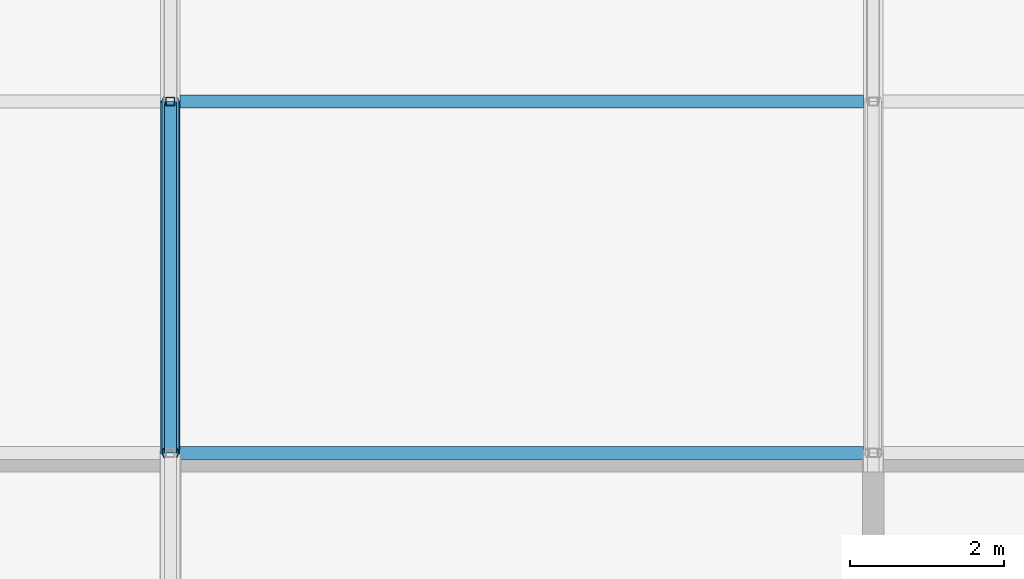
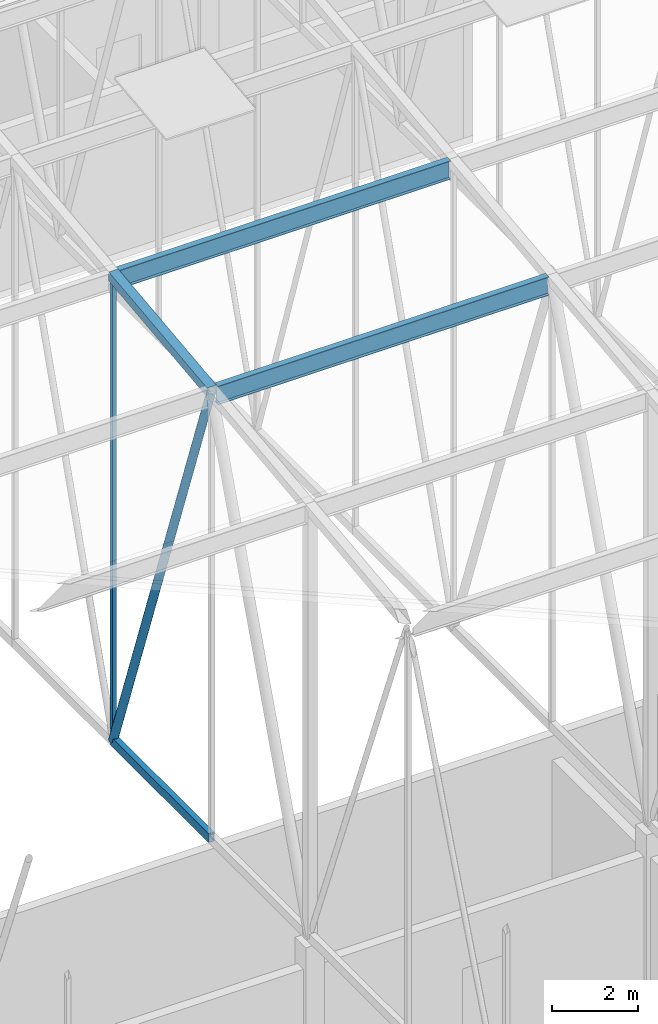
# One storey, part 68 of 500: 6 members.
"""IFC4 building model written with IfcOpenShell, lengths in metres."""

from ifc_helpers import new_model, si_unit, direction, frame, origin, origin_2d, place, context, subcontext, project, spatial, hollow_rectangle, hollow_circle, i_section, extrude, material, material_profile, profile_set, type_object, element, save


model = new_model("IFC4")

# Units and contexts
model_context = context("Model", 3, precision=1e-05, world=origin(), true_north=direction((0.0, 1.0)))
body_context = subcontext(model_context, "Body", "Model", "MODEL_VIEW")
ifc_project = project(units=[si_unit("LENGTHUNIT", "METRE"), si_unit("AREAUNIT", "SQUARE_METRE"), si_unit("VOLUMEUNIT", "CUBIC_METRE"), si_unit("PLANEANGLEUNIT", "RADIAN"), si_unit("MASSUNIT", "GRAM", prefix="KILO")], contexts=[model_context])

# Site, building, storey
site_placement = place(None, origin())
site = spatial("IfcSite", under=ifc_project, at=site_placement, CompositionType="ELEMENT")
building_placement = place(site_placement, origin())
building = spatial("IfcBuilding", under=site, at=building_placement, Name="Shirokan Park Arena", CompositionType="ELEMENT")
storey_placement = place(building_placement, frame((0.0, 0.0, 29.1201171875)))
storey = spatial("IfcBuildingStorey", under=building, at=storey_placement, Name="L06", CompositionType="ELEMENT", Elevation=29.1201171875)

# Members
ifc_material_1 = material(Name="Steel ASTM A500 Grade C", Category="steel")
ifc_material_profile_1 = material_profile(ifc_material_1, hollow_rectangle(XDim=0.152099609375, YDim=0.25390625, WallThickness=0.009521484375, at=origin_2d()), Name="HSS254X152.4X9.5")
ifc_profile_set_1 = profile_set([ifc_material_profile_1], Name="Steel ASTM A500 Grade C")
member_type_1 = type_object("IfcMemberType", Name="Bottom chord HSS254X152.4X9.5", PredefinedType="CHORD", material=ifc_profile_set_1)
member_1_placement = place(storey_placement, frame((18.199951171875, 40.949951171875, 4.677001953125), z_axis=(0.0, 1.0, 0.0), x_axis=(-1.0, 0.0, 0.0)))
element("IfcMember", 1, at=member_1_placement, inside=storey, type_object=member_type_1, Name="Truss T03 bottom chord 12", PredefinedType="CHORD", context=body_context, shape_type="SweptSolid", body=[
    extrude(hollow_rectangle(XDim=0.152099609375, YDim=0.25390625, WallThickness=0.009521484375, at=origin_2d()), origin(), (0.0, 0.0, 1.0), 4.550048828125),
])
ifc_material_2 = material(Name="Steel ASTM A992", Category="steel")
ifc_material_profile_2 = material_profile(ifc_material_2, i_section(OverallWidth=0.166015625, OverallDepth=0.528076171875, WebThickness=0.009765625, FlangeThickness=0.013671875, at=origin_2d()), Name="W530X74")
ifc_profile_set_2 = profile_set([ifc_material_profile_2], Name="Steel ASTM A992")
member_type_2 = type_object("IfcMemberType", Name="Purlin W530X74", PredefinedType="PURLIN", material=ifc_profile_set_2)
for number, where, z_axis, x_axis, name in (
    (2, (18.326904296875, 40.949951171875, 17.165771484375), (1.0, 0.0, 0.0), (0.0, 1.0, 0.0), "Purlin 12 bay 3"),
    (3, (18.326904296875, 45.5, 17.685791015625), (1.0, 0.0, 0.0), (0.0, 1.0, 0.0), "Purlin 13 bay 3"),
):
    element("IfcMember", number, at=place(storey_placement, frame(where, z_axis=z_axis, x_axis=x_axis)), inside=storey, type_object=member_type_2, Name=name, PredefinedType="PURLIN", context=body_context, shape_type="SweptSolid", body=[
        extrude(i_section(OverallWidth=0.166015625, OverallDepth=0.528076171875, WebThickness=0.009765625, FlangeThickness=0.013671875, at=origin_2d()), origin(), (0.0, 0.0, 1.0), 8.84619140625),
    ])
ifc_material_profile_3 = material_profile(ifc_material_1, hollow_rectangle(XDim=0.25390625, YDim=0.25390625, WallThickness=0.009521484375, at=origin_2d()), Name="HSS254X254X9.5")
ifc_profile_set_3 = profile_set([ifc_material_profile_3], Name="Steel ASTM A500 Grade C")
member_type_3 = type_object("IfcMemberType", Name="Top chord HSS254X254X9.5", PredefinedType="CHORD", material=ifc_profile_set_3)
member_2_placement = place(storey_placement, frame((18.199951171875, 40.949951171875, 17.302978515625), z_axis=(0.0, 0.993532328996, 0.113549598152), x_axis=(-1.0, 0.0, 0.0)))
element("IfcMember", 4, at=member_2_placement, inside=storey, type_object=member_type_3, Name="Truss T03 top chord 12", PredefinedType="CHORD", context=body_context, shape_type="SweptSolid", body=[
    extrude(hollow_rectangle(XDim=0.25390625, YDim=0.25390625, WallThickness=0.009521484375, at=origin_2d()), origin(), (0.0, 0.0, 1.0), 4.57958984375),
])
ifc_material_profile_4 = material_profile(ifc_material_1, hollow_circle(Radius=0.109619140625, WallThickness=0.009521484375, at=origin_2d()), Name="HSS219.1X9.5")
ifc_profile_set_4 = profile_set([ifc_material_profile_4], Name="Steel ASTM A500 Grade C")
member_type_4 = type_object("IfcMemberType", Name="Truss diagonal HSS219.1X9.5", PredefinedType="BRACE", material=ifc_profile_set_4)
member_3_placement = place(storey_placement, frame((18.199951171875, 40.949951171875, 17.302978515625), z_axis=(0.0, 0.339029292845, -0.940775817394), x_axis=(-1.0, 0.0, 0.0)))
element("IfcMember", 5, at=member_3_placement, inside=storey, type_object=member_type_4, Name="Truss T03 diagonal 12", PredefinedType="BRACE", context=body_context, shape_type="SweptSolid", body=[
    extrude(hollow_circle(Radius=0.109619140625, WallThickness=0.009521484375, at=origin_2d()), origin(), (0.0, 0.0, 1.0), 13.4208984375),
])
ifc_material_profile_5 = material_profile(ifc_material_1, hollow_rectangle(XDim=0.114013671875, YDim=0.114013671875, WallThickness=0.00634765625, at=origin_2d()), Name="HSS114.3X114.3X6.4")
ifc_profile_set_5 = profile_set([ifc_material_profile_5], Name="Steel ASTM A500 Grade C")
member_type_5 = type_object("IfcMemberType", Name="Truss post HSS114.3X114.3X6.4", PredefinedType="POST", material=ifc_profile_set_5)
member_4_placement = place(storey_placement, frame((18.199951171875, 45.5, 4.677001953125), z_axis=(0.0, 0.0, 1.0), x_axis=(1.0, 0.0, 0.0)))
element("IfcMember", 6, at=member_4_placement, inside=storey, type_object=member_type_5, Name="Truss T03 post 13", PredefinedType="POST", context=body_context, shape_type="SweptSolid", body=[
    extrude(hollow_rectangle(XDim=0.114013671875, YDim=0.114013671875, WallThickness=0.00634765625, at=origin_2d()), origin(), (0.0, 0.0, 1.0), 13.14599609375),
])

save(model, "model.ifc")
